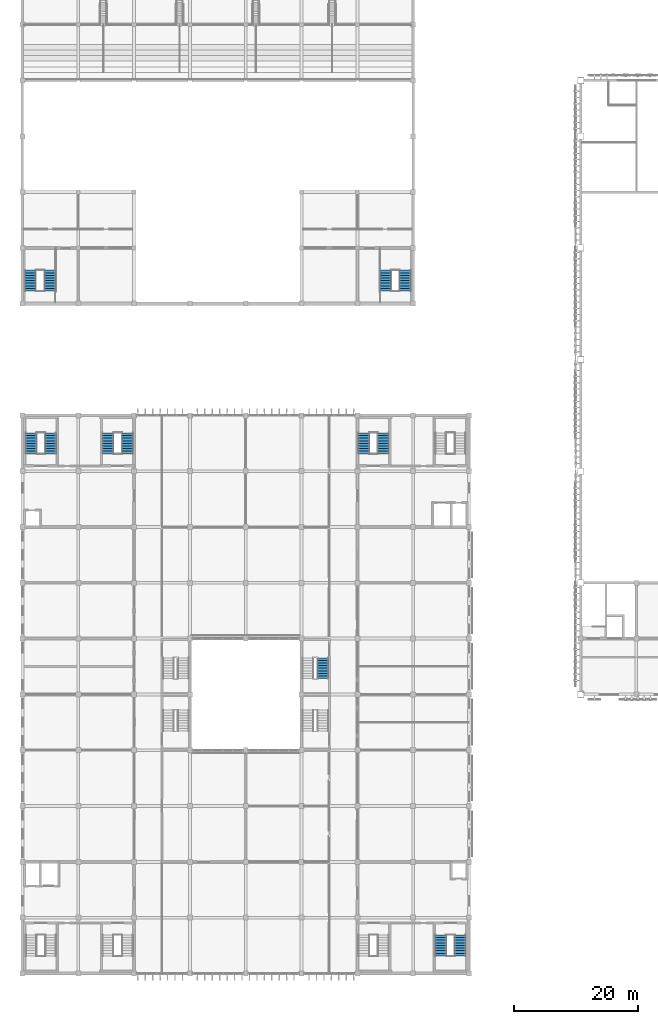
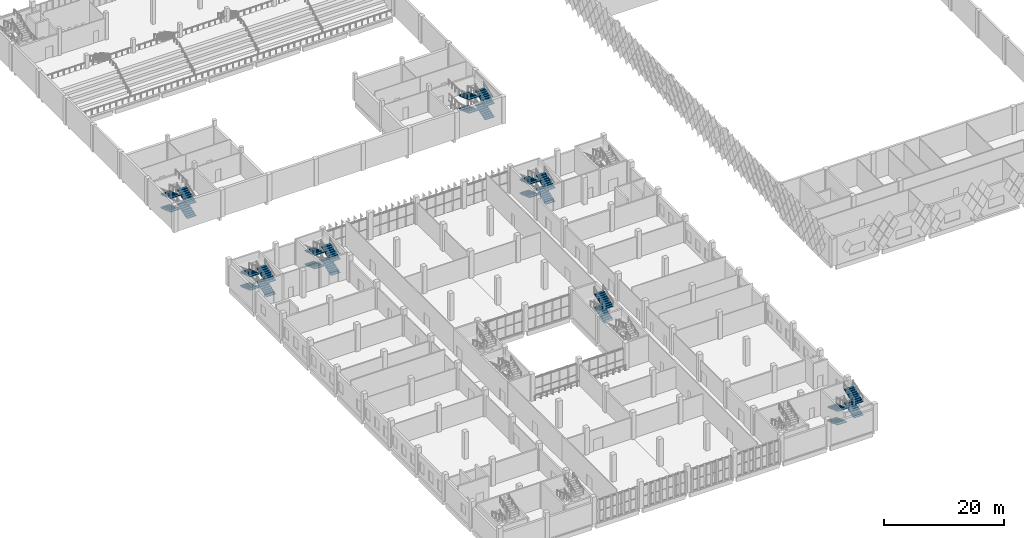
# One storey, part 131 of 185: 26 stair flights, 7 elements without a shape of their own.
"""IFC4 building model written with IfcOpenShell, lengths in metres."""

from ifc_helpers import new_model, si_unit, direction, frame, origin, place, context, subcontext, project, spatial, polyline, outline, extrude, material, type_object, element, aggregate, save


model = new_model("IFC4")

# Units and contexts
model_context = context("Model", 3, precision=1e-05, world=origin(), true_north=direction((0.0, 1.0)))
body_context = subcontext(model_context, "Body", "Model", "MODEL_VIEW")
ifc_project = project(units=[si_unit("LENGTHUNIT", "METRE"), si_unit("AREAUNIT", "SQUARE_METRE"), si_unit("VOLUMEUNIT", "CUBIC_METRE"), si_unit("PLANEANGLEUNIT", "RADIAN"), si_unit("MASSUNIT", "GRAM", prefix="KILO")], contexts=[model_context])

# Site, building, storey
site_placement = place(None, origin())
site = spatial("IfcSite", under=ifc_project, at=site_placement, CompositionType="ELEMENT")
building_placement = place(site_placement, origin())
building = spatial("IfcBuilding", under=site, at=building_placement, Name="Opaline Strait Convention Centre", CompositionType="ELEMENT")
storey_placement = place(building_placement, frame((0.0, 0.0, 6.0)))
storey = spatial("IfcBuildingStorey", under=building, at=storey_placement, Name="L01", CompositionType="ELEMENT", Elevation=6.0)

# Stair, stair flights
ifc_material = material(Name="Concrete C40", Category="concrete")
stair_type_1 = type_object("IfcStairType", Name="Core stair half turn 2400", PredefinedType="HALF_TURN_STAIR", material=ifc_material)
stair_1_placement = place(storey_placement, origin())
stair_1 = element("IfcStair", 1, at=stair_1_placement, inside=storey, type_object=stair_type_1, Name="L01 SW core stair", ObjectType="PST2", PredefinedType="HALF_TURN_STAIR")
stair_flight_type_1 = type_object("IfcStairFlightType", Name="Core stair flight 2400 precast", PredefinedType="STRAIGHT", material=ifc_material)
stair_flight_1_placement = place(storey_placement, frame((13.449951171875, 119.050048828125, 0.0), z_axis=(0.0, 0.0, 1.0), x_axis=(0.0, 1.0, 0.0)))
stair_flight_1 = element("IfcStairFlight", 2, at=stair_flight_1_placement, type_object=stair_flight_type_1, Name="PSR1 flight 1", ObjectType="PSF2", NumberOfRisers=9, NumberOfTreads=8, PredefinedType="STRAIGHT", RiserHeight=0.152777778, TreadLength=0.42, context=body_context, shape_type="SweptSolid", body=[
    extrude(outline(polyline([(0.0, 0.0), (0.0, 0.15283203125), (0.419921875, 0.15283203125), (0.419921875, 0.3056640625), (0.840087890625, 0.3056640625), (0.840087890625, 0.458251953125), (1.260009765625, 0.458251953125), (1.260009765625, 0.611083984375), (1.679931640625, 0.611083984375), (1.679931640625, 0.763916015625), (2.10009765625, 0.763916015625), (2.10009765625, 0.916748046875), (2.52001953125, 0.916748046875), (2.52001953125, 1.0693359375), (2.93994140625, 1.0693359375), (2.93994140625, 1.22216796875), (3.360107421875, 1.22216796875), (3.360107421875, 1.375), (3.360107421875, 1.062744140625), (0.4384765625, 0.0), (0.0, 0.0)])), frame((0.0, 0.89990234375, 0.0), z_axis=(0.0, -1.0, 0.0), x_axis=(1.0, 0.0, 0.0)), (0.0, 0.0, 1.0), 1.800048828125),
])
stair_flight_2_placement = place(storey_placement, frame((10.300048828125, 122.409912109375, 1.375), z_axis=(0.0, 0.0, 1.0), x_axis=(0.0, -1.0, 0.0)))
stair_flight_2 = element("IfcStairFlight", 3, at=stair_flight_2_placement, type_object=stair_flight_type_1, Name="PSR1 flight 2", ObjectType="PSF2", NumberOfRisers=9, NumberOfTreads=8, PredefinedType="STRAIGHT", RiserHeight=0.152777778, TreadLength=0.42, context=body_context, shape_type="SweptSolid", body=[
    extrude(outline(polyline([(0.0, 0.0), (0.0, 0.15283203125), (0.419921875, 0.15283203125), (0.419921875, 0.3056640625), (0.840087890625, 0.3056640625), (0.840087890625, 0.458251953125), (1.260009765625, 0.458251953125), (1.260009765625, 0.611083984375), (1.679931640625, 0.611083984375), (1.679931640625, 0.763916015625), (2.10009765625, 0.763916015625), (2.10009765625, 0.916748046875), (2.52001953125, 0.916748046875), (2.52001953125, 1.0693359375), (2.93994140625, 1.0693359375), (2.93994140625, 1.22216796875), (3.360107421875, 1.22216796875), (3.360107421875, 1.375), (3.360107421875, 1.062744140625), (0.4384765625, 0.0), (0.0, 0.0)])), frame((0.0, 0.89990234375, 0.0), z_axis=(0.0, -1.0, 0.0), x_axis=(1.0, 0.0, 0.0)), (0.0, 0.0, 1.0), 1.800048828125),
])
stair_flight_3_placement = place(storey_placement, frame((13.449951171875, 119.050048828125, 2.75), z_axis=(0.0, 0.0, 1.0), x_axis=(0.0, 1.0, 0.0)))
stair_flight_3 = element("IfcStairFlight", 4, at=stair_flight_3_placement, type_object=stair_flight_type_1, Name="PSR1 flight 3", ObjectType="PSF2", NumberOfRisers=9, NumberOfTreads=8, PredefinedType="STRAIGHT", RiserHeight=0.152777778, TreadLength=0.42, context=body_context, shape_type="SweptSolid", body=[
    extrude(outline(polyline([(0.0, 0.0), (0.0, 0.15283203125), (0.419921875, 0.15283203125), (0.419921875, 0.3056640625), (0.840087890625, 0.3056640625), (0.840087890625, 0.458251953125), (1.260009765625, 0.458251953125), (1.260009765625, 0.611083984375), (1.679931640625, 0.611083984375), (1.679931640625, 0.763916015625), (2.10009765625, 0.763916015625), (2.10009765625, 0.916748046875), (2.52001953125, 0.916748046875), (2.52001953125, 1.0693359375), (2.93994140625, 1.0693359375), (2.93994140625, 1.22216796875), (3.360107421875, 1.22216796875), (3.360107421875, 1.375), (3.360107421875, 1.062744140625), (0.4384765625, 0.0), (0.0, 0.0)])), frame((0.0, 0.89990234375, 0.0), z_axis=(0.0, -1.0, 0.0), x_axis=(1.0, 0.0, 0.0)), (0.0, 0.0, 1.0), 1.800048828125),
])
stair_flight_4_placement = place(storey_placement, frame((10.300048828125, 122.409912109375, 4.125), z_axis=(0.0, 0.0, 1.0), x_axis=(0.0, -1.0, 0.0)))
stair_flight_4 = element("IfcStairFlight", 5, at=stair_flight_4_placement, type_object=stair_flight_type_1, Name="PSR1 flight 4", ObjectType="PSF2", NumberOfRisers=9, NumberOfTreads=8, PredefinedType="STRAIGHT", RiserHeight=0.152777778, TreadLength=0.42, context=body_context, shape_type="SweptSolid", body=[
    extrude(outline(polyline([(0.0, 0.0), (0.0, 0.15283203125), (0.419921875, 0.15283203125), (0.419921875, 0.3056640625), (0.840087890625, 0.3056640625), (0.840087890625, 0.458251953125), (1.260009765625, 0.458251953125), (1.260009765625, 0.611083984375), (1.679931640625, 0.611083984375), (1.679931640625, 0.763916015625), (2.10009765625, 0.763916015625), (2.10009765625, 0.916748046875), (2.52001953125, 0.916748046875), (2.52001953125, 1.0693359375), (2.93994140625, 1.0693359375), (2.93994140625, 1.22216796875), (3.360107421875, 1.22216796875), (3.360107421875, 1.375), (3.360107421875, 1.062744140625), (0.4384765625, 0.0), (0.0, 0.0)])), frame((0.0, 0.89990234375, 0.0), z_axis=(0.0, -1.0, 0.0), x_axis=(1.0, 0.0, 0.0)), (0.0, 0.0, 1.0), 1.800048828125),
])
aggregate(stair_1, [stair_flight_1, stair_flight_2, stair_flight_3, stair_flight_4])

stair_2_placement = place(storey_placement, origin())
stair_2 = element("IfcStair", 6, at=stair_2_placement, inside=storey, type_object=stair_type_1, Name="L01 SE core stair", ObjectType="PST2", PredefinedType="HALF_TURN_STAIR")
stair_flight_5_placement = place(storey_placement, frame((70.699951171875, 119.050048828125, 0.0), z_axis=(0.0, 0.0, 1.0), x_axis=(0.0, 1.0, 0.0)))
stair_flight_5 = element("IfcStairFlight", 7, at=stair_flight_5_placement, type_object=stair_flight_type_1, Name="PSR2 flight 1", ObjectType="PSF2", NumberOfRisers=9, NumberOfTreads=8, PredefinedType="STRAIGHT", RiserHeight=0.152777778, TreadLength=0.42, context=body_context, shape_type="SweptSolid", body=[
    extrude(outline(polyline([(0.0, 0.0), (0.0, 0.15283203125), (0.419921875, 0.15283203125), (0.419921875, 0.3056640625), (0.840087890625, 0.3056640625), (0.840087890625, 0.458251953125), (1.260009765625, 0.458251953125), (1.260009765625, 0.611083984375), (1.679931640625, 0.611083984375), (1.679931640625, 0.763916015625), (2.10009765625, 0.763916015625), (2.10009765625, 0.916748046875), (2.52001953125, 0.916748046875), (2.52001953125, 1.0693359375), (2.93994140625, 1.0693359375), (2.93994140625, 1.22216796875), (3.360107421875, 1.22216796875), (3.360107421875, 1.375), (3.360107421875, 1.062744140625), (0.4384765625, 0.0), (0.0, 0.0)])), frame((0.0, 0.89990234375, 0.0), z_axis=(0.0, -1.0, 0.0), x_axis=(1.0, 0.0, 0.0)), (0.0, 0.0, 1.0), 1.800048828125),
])
stair_flight_6_placement = place(storey_placement, frame((67.550048828125, 122.409912109375, 1.375), z_axis=(0.0, 0.0, 1.0), x_axis=(0.0, -1.0, 0.0)))
stair_flight_6 = element("IfcStairFlight", 8, at=stair_flight_6_placement, type_object=stair_flight_type_1, Name="PSR2 flight 2", ObjectType="PSF2", NumberOfRisers=9, NumberOfTreads=8, PredefinedType="STRAIGHT", RiserHeight=0.152777778, TreadLength=0.42, context=body_context, shape_type="SweptSolid", body=[
    extrude(outline(polyline([(0.0, 0.0), (0.0, 0.15283203125), (0.419921875, 0.15283203125), (0.419921875, 0.3056640625), (0.840087890625, 0.3056640625), (0.840087890625, 0.458251953125), (1.260009765625, 0.458251953125), (1.260009765625, 0.611083984375), (1.679931640625, 0.611083984375), (1.679931640625, 0.763916015625), (2.10009765625, 0.763916015625), (2.10009765625, 0.916748046875), (2.52001953125, 0.916748046875), (2.52001953125, 1.0693359375), (2.93994140625, 1.0693359375), (2.93994140625, 1.22216796875), (3.360107421875, 1.22216796875), (3.360107421875, 1.375), (3.360107421875, 1.062744140625), (0.4384765625, 0.0), (0.0, 0.0)])), frame((0.0, 0.89990234375, 0.0), z_axis=(0.0, -1.0, 0.0), x_axis=(1.0, 0.0, 0.0)), (0.0, 0.0, 1.0), 1.800048828125),
])
stair_flight_7_placement = place(storey_placement, frame((70.699951171875, 119.050048828125, 2.75), z_axis=(0.0, 0.0, 1.0), x_axis=(0.0, 1.0, 0.0)))
stair_flight_7 = element("IfcStairFlight", 9, at=stair_flight_7_placement, type_object=stair_flight_type_1, Name="PSR2 flight 3", ObjectType="PSF2", NumberOfRisers=9, NumberOfTreads=8, PredefinedType="STRAIGHT", RiserHeight=0.152777778, TreadLength=0.42, context=body_context, shape_type="SweptSolid", body=[
    extrude(outline(polyline([(0.0, 0.0), (0.0, 0.15283203125), (0.419921875, 0.15283203125), (0.419921875, 0.3056640625), (0.840087890625, 0.3056640625), (0.840087890625, 0.458251953125), (1.260009765625, 0.458251953125), (1.260009765625, 0.611083984375), (1.679931640625, 0.611083984375), (1.679931640625, 0.763916015625), (2.10009765625, 0.763916015625), (2.10009765625, 0.916748046875), (2.52001953125, 0.916748046875), (2.52001953125, 1.0693359375), (2.93994140625, 1.0693359375), (2.93994140625, 1.22216796875), (3.360107421875, 1.22216796875), (3.360107421875, 1.375), (3.360107421875, 1.062744140625), (0.4384765625, 0.0), (0.0, 0.0)])), frame((0.0, 0.89990234375, 0.0), z_axis=(0.0, -1.0, 0.0), x_axis=(1.0, 0.0, 0.0)), (0.0, 0.0, 1.0), 1.800048828125),
])
stair_flight_8_placement = place(storey_placement, frame((67.550048828125, 122.409912109375, 4.125), z_axis=(0.0, 0.0, 1.0), x_axis=(0.0, -1.0, 0.0)))
stair_flight_8 = element("IfcStairFlight", 10, at=stair_flight_8_placement, type_object=stair_flight_type_1, Name="PSR2 flight 4", ObjectType="PSF2", NumberOfRisers=9, NumberOfTreads=8, PredefinedType="STRAIGHT", RiserHeight=0.152777778, TreadLength=0.42, context=body_context, shape_type="SweptSolid", body=[
    extrude(outline(polyline([(0.0, 0.0), (0.0, 0.15283203125), (0.419921875, 0.15283203125), (0.419921875, 0.3056640625), (0.840087890625, 0.3056640625), (0.840087890625, 0.458251953125), (1.260009765625, 0.458251953125), (1.260009765625, 0.611083984375), (1.679931640625, 0.611083984375), (1.679931640625, 0.763916015625), (2.10009765625, 0.763916015625), (2.10009765625, 0.916748046875), (2.52001953125, 0.916748046875), (2.52001953125, 1.0693359375), (2.93994140625, 1.0693359375), (2.93994140625, 1.22216796875), (3.360107421875, 1.22216796875), (3.360107421875, 1.375), (3.360107421875, 1.062744140625), (0.4384765625, 0.0), (0.0, 0.0)])), frame((0.0, 0.89990234375, 0.0), z_axis=(0.0, -1.0, 0.0), x_axis=(1.0, 0.0, 0.0)), (0.0, 0.0, 1.0), 1.800048828125),
])
aggregate(stair_2, [stair_flight_5, stair_flight_6, stair_flight_7, stair_flight_8])

stair_type_2 = type_object("IfcStairType", Name="Exit stair two flights 1800 C40", PredefinedType="HALF_TURN_STAIR", material=ifc_material)
stair_3_placement = place(storey_placement, origin())
stair_3 = element("IfcStair", 11, at=stair_3_placement, inside=storey, type_object=stair_type_2, Name="L01 SEA", ObjectType="RST1", PredefinedType="HALF_TURN_STAIR")
stair_flight_type_2 = type_object("IfcStairFlightType", Name="Stair flight 1800 C40", PredefinedType="STRAIGHT", material=ifc_material)
stair_flight_9_placement = place(storey_placement, frame((76.449951171875, 15.199951171875, 0.0), z_axis=(0.0, 0.0, 1.0), x_axis=(0.0, -1.0, 0.0)))
stair_flight_9 = element("IfcStairFlight", 12, at=stair_flight_9_placement, type_object=stair_flight_type_2, Name="SEA flight 1", ObjectType="RSF1", NumberOfRisers=9, NumberOfTreads=8, PredefinedType="STRAIGHT", RiserHeight=0.152777778, TreadLength=0.42, context=body_context, shape_type="SweptSolid", body=[
    extrude(outline(polyline([(0.0, 0.0), (0.0, 0.15283203125), (0.419921875, 0.15283203125), (0.419921875, 0.3056640625), (0.840087890625, 0.3056640625), (0.840087890625, 0.458251953125), (1.260009765625, 0.458251953125), (1.260009765625, 0.611083984375), (1.679931640625, 0.611083984375), (1.679931640625, 0.763916015625), (2.10009765625, 0.763916015625), (2.10009765625, 0.916748046875), (2.52001953125, 0.916748046875), (2.52001953125, 1.0693359375), (2.93994140625, 1.0693359375), (2.93994140625, 1.22216796875), (3.360107421875, 1.22216796875), (3.360107421875, 1.375), (3.360107421875, 1.062744140625), (0.4384765625, 0.0), (0.0, 0.0)])), frame((0.0, 0.89990234375, 0.0), z_axis=(0.0, -1.0, 0.0), x_axis=(1.0, 0.0, 0.0)), (0.0, 0.0, 1.0), 1.800048828125),
])
stair_flight_10_placement = place(storey_placement, frame((79.60009765625, 11.840087890625, 1.375), z_axis=(0.0, 0.0, 1.0), x_axis=(0.0, 1.0, 0.0)))
stair_flight_10 = element("IfcStairFlight", 13, at=stair_flight_10_placement, type_object=stair_flight_type_2, Name="SEA flight 2", ObjectType="RSF1", NumberOfRisers=9, NumberOfTreads=8, PredefinedType="STRAIGHT", RiserHeight=0.152777778, TreadLength=0.42, context=body_context, shape_type="SweptSolid", body=[
    extrude(outline(polyline([(0.0, 0.0), (0.0, 0.15283203125), (0.419921875, 0.15283203125), (0.419921875, 0.3056640625), (0.840087890625, 0.3056640625), (0.840087890625, 0.458251953125), (1.260009765625, 0.458251953125), (1.260009765625, 0.611083984375), (1.679931640625, 0.611083984375), (1.679931640625, 0.763916015625), (2.10009765625, 0.763916015625), (2.10009765625, 0.916748046875), (2.52001953125, 0.916748046875), (2.52001953125, 1.0693359375), (2.93994140625, 1.0693359375), (2.93994140625, 1.22216796875), (3.360107421875, 1.22216796875), (3.360107421875, 1.375), (3.360107421875, 1.062744140625), (0.4384765625, 0.0), (0.0, 0.0)])), frame((0.0, 0.89990234375, 0.0), z_axis=(0.0, -1.0, 0.0), x_axis=(1.0, 0.0, 0.0)), (0.0, 0.0, 1.0), 1.800048828125),
])
stair_flight_11_placement = place(storey_placement, frame((76.449951171875, 15.199951171875, 2.75), z_axis=(0.0, 0.0, 1.0), x_axis=(0.0, -1.0, 0.0)))
stair_flight_11 = element("IfcStairFlight", 14, at=stair_flight_11_placement, type_object=stair_flight_type_2, Name="SEA flight 3", ObjectType="RSF1", NumberOfRisers=9, NumberOfTreads=8, PredefinedType="STRAIGHT", RiserHeight=0.152777778, TreadLength=0.42, context=body_context, shape_type="SweptSolid", body=[
    extrude(outline(polyline([(0.0, 0.0), (0.0, 0.15283203125), (0.419921875, 0.15283203125), (0.419921875, 0.3056640625), (0.840087890625, 0.3056640625), (0.840087890625, 0.458251953125), (1.260009765625, 0.458251953125), (1.260009765625, 0.611083984375), (1.679931640625, 0.611083984375), (1.679931640625, 0.763916015625), (2.10009765625, 0.763916015625), (2.10009765625, 0.916748046875), (2.52001953125, 0.916748046875), (2.52001953125, 1.0693359375), (2.93994140625, 1.0693359375), (2.93994140625, 1.22216796875), (3.360107421875, 1.22216796875), (3.360107421875, 1.375), (3.360107421875, 1.062744140625), (0.4384765625, 0.0), (0.0, 0.0)])), frame((0.0, 0.89990234375, 0.0), z_axis=(0.0, -1.0, 0.0), x_axis=(1.0, 0.0, 0.0)), (0.0, 0.0, 1.0), 1.800048828125),
])
stair_flight_12_placement = place(storey_placement, frame((79.60009765625, 11.840087890625, 4.125), z_axis=(0.0, 0.0, 1.0), x_axis=(0.0, 1.0, 0.0)))
stair_flight_12 = element("IfcStairFlight", 15, at=stair_flight_12_placement, type_object=stair_flight_type_2, Name="SEA flight 4", ObjectType="RSF1", NumberOfRisers=9, NumberOfTreads=8, PredefinedType="STRAIGHT", RiserHeight=0.152777778, TreadLength=0.42, context=body_context, shape_type="SweptSolid", body=[
    extrude(outline(polyline([(0.0, 0.0), (0.0, 0.15283203125), (0.419921875, 0.15283203125), (0.419921875, 0.3056640625), (0.840087890625, 0.3056640625), (0.840087890625, 0.458251953125), (1.260009765625, 0.458251953125), (1.260009765625, 0.611083984375), (1.679931640625, 0.611083984375), (1.679931640625, 0.763916015625), (2.10009765625, 0.763916015625), (2.10009765625, 0.916748046875), (2.52001953125, 0.916748046875), (2.52001953125, 1.0693359375), (2.93994140625, 1.0693359375), (2.93994140625, 1.22216796875), (3.360107421875, 1.22216796875), (3.360107421875, 1.375), (3.360107421875, 1.062744140625), (0.4384765625, 0.0), (0.0, 0.0)])), frame((0.0, 0.89990234375, 0.0), z_axis=(0.0, -1.0, 0.0), x_axis=(1.0, 0.0, 0.0)), (0.0, 0.0, 1.0), 1.800048828125),
])
aggregate(stair_3, [stair_flight_9, stair_flight_10, stair_flight_11, stair_flight_12])

stair_4_placement = place(storey_placement, origin())
stair_4 = element("IfcStair", 16, at=stair_4_placement, inside=storey, type_object=stair_type_2, Name="L01 NWA", ObjectType="RST1", PredefinedType="HALF_TURN_STAIR")
stair_flight_13_placement = place(storey_placement, frame((13.550048828125, 92.800048828125, 0.0), z_axis=(0.0, 0.0, 1.0), x_axis=(0.0, 1.0, 0.0)))
stair_flight_13 = element("IfcStairFlight", 17, at=stair_flight_13_placement, type_object=stair_flight_type_2, Name="NWA flight 1", ObjectType="RSF1", NumberOfRisers=9, NumberOfTreads=8, PredefinedType="STRAIGHT", RiserHeight=0.152777778, TreadLength=0.42, context=body_context, shape_type="SweptSolid", body=[
    extrude(outline(polyline([(0.0, 0.0), (0.0, 0.15283203125), (0.419921875, 0.15283203125), (0.419921875, 0.3056640625), (0.840087890625, 0.3056640625), (0.840087890625, 0.458251953125), (1.260009765625, 0.458251953125), (1.260009765625, 0.611083984375), (1.679931640625, 0.611083984375), (1.679931640625, 0.763916015625), (2.10009765625, 0.763916015625), (2.10009765625, 0.916748046875), (2.52001953125, 0.916748046875), (2.52001953125, 1.0693359375), (2.93994140625, 1.0693359375), (2.93994140625, 1.22216796875), (3.360107421875, 1.22216796875), (3.360107421875, 1.375), (3.360107421875, 1.062744140625), (0.4384765625, 0.0), (0.0, 0.0)])), frame((0.0, 0.89990234375, 0.0), z_axis=(0.0, -1.0, 0.0), x_axis=(1.0, 0.0, 0.0)), (0.0, 0.0, 1.0), 1.800048828125),
])
stair_flight_14_placement = place(storey_placement, frame((10.39990234375, 96.159912109375, 1.375), z_axis=(0.0, 0.0, 1.0), x_axis=(0.0, -1.0, 0.0)))
stair_flight_14 = element("IfcStairFlight", 18, at=stair_flight_14_placement, type_object=stair_flight_type_2, Name="NWA flight 2", ObjectType="RSF1", NumberOfRisers=9, NumberOfTreads=8, PredefinedType="STRAIGHT", RiserHeight=0.152777778, TreadLength=0.42, context=body_context, shape_type="SweptSolid", body=[
    extrude(outline(polyline([(0.0, 0.0), (0.0, 0.15283203125), (0.419921875, 0.15283203125), (0.419921875, 0.3056640625), (0.840087890625, 0.3056640625), (0.840087890625, 0.458251953125), (1.260009765625, 0.458251953125), (1.260009765625, 0.611083984375), (1.679931640625, 0.611083984375), (1.679931640625, 0.763916015625), (2.10009765625, 0.763916015625), (2.10009765625, 0.916748046875), (2.52001953125, 0.916748046875), (2.52001953125, 1.0693359375), (2.93994140625, 1.0693359375), (2.93994140625, 1.22216796875), (3.360107421875, 1.22216796875), (3.360107421875, 1.375), (3.360107421875, 1.062744140625), (0.4384765625, 0.0), (0.0, 0.0)])), frame((0.0, 0.89990234375, 0.0), z_axis=(0.0, -1.0, 0.0), x_axis=(1.0, 0.0, 0.0)), (0.0, 0.0, 1.0), 1.800048828125),
])
stair_flight_15_placement = place(storey_placement, frame((13.550048828125, 92.800048828125, 2.75), z_axis=(0.0, 0.0, 1.0), x_axis=(0.0, 1.0, 0.0)))
stair_flight_15 = element("IfcStairFlight", 19, at=stair_flight_15_placement, type_object=stair_flight_type_2, Name="NWA flight 3", ObjectType="RSF1", NumberOfRisers=9, NumberOfTreads=8, PredefinedType="STRAIGHT", RiserHeight=0.152777778, TreadLength=0.42, context=body_context, shape_type="SweptSolid", body=[
    extrude(outline(polyline([(0.0, 0.0), (0.0, 0.15283203125), (0.419921875, 0.15283203125), (0.419921875, 0.3056640625), (0.840087890625, 0.3056640625), (0.840087890625, 0.458251953125), (1.260009765625, 0.458251953125), (1.260009765625, 0.611083984375), (1.679931640625, 0.611083984375), (1.679931640625, 0.763916015625), (2.10009765625, 0.763916015625), (2.10009765625, 0.916748046875), (2.52001953125, 0.916748046875), (2.52001953125, 1.0693359375), (2.93994140625, 1.0693359375), (2.93994140625, 1.22216796875), (3.360107421875, 1.22216796875), (3.360107421875, 1.375), (3.360107421875, 1.062744140625), (0.4384765625, 0.0), (0.0, 0.0)])), frame((0.0, 0.89990234375, 0.0), z_axis=(0.0, -1.0, 0.0), x_axis=(1.0, 0.0, 0.0)), (0.0, 0.0, 1.0), 1.800048828125),
])
stair_flight_16_placement = place(storey_placement, frame((10.39990234375, 96.159912109375, 4.125), z_axis=(0.0, 0.0, 1.0), x_axis=(0.0, -1.0, 0.0)))
stair_flight_16 = element("IfcStairFlight", 20, at=stair_flight_16_placement, type_object=stair_flight_type_2, Name="NWA flight 4", ObjectType="RSF1", NumberOfRisers=9, NumberOfTreads=8, PredefinedType="STRAIGHT", RiserHeight=0.152777778, TreadLength=0.42, context=body_context, shape_type="SweptSolid", body=[
    extrude(outline(polyline([(0.0, 0.0), (0.0, 0.15283203125), (0.419921875, 0.15283203125), (0.419921875, 0.3056640625), (0.840087890625, 0.3056640625), (0.840087890625, 0.458251953125), (1.260009765625, 0.458251953125), (1.260009765625, 0.611083984375), (1.679931640625, 0.611083984375), (1.679931640625, 0.763916015625), (2.10009765625, 0.763916015625), (2.10009765625, 0.916748046875), (2.52001953125, 0.916748046875), (2.52001953125, 1.0693359375), (2.93994140625, 1.0693359375), (2.93994140625, 1.22216796875), (3.360107421875, 1.22216796875), (3.360107421875, 1.375), (3.360107421875, 1.062744140625), (0.4384765625, 0.0), (0.0, 0.0)])), frame((0.0, 0.89990234375, 0.0), z_axis=(0.0, -1.0, 0.0), x_axis=(1.0, 0.0, 0.0)), (0.0, 0.0, 1.0), 1.800048828125),
])
aggregate(stair_4, [stair_flight_13, stair_flight_14, stair_flight_15, stair_flight_16])

stair_5_placement = place(storey_placement, origin())
stair_5 = element("IfcStair", 21, at=stair_5_placement, inside=storey, type_object=stair_type_2, Name="L01 NWB", ObjectType="RST1", PredefinedType="HALF_TURN_STAIR")
stair_flight_17_placement = place(storey_placement, frame((25.949951171875, 92.800048828125, 0.0), z_axis=(0.0, 0.0, 1.0), x_axis=(0.0, 1.0, 0.0)))
stair_flight_17 = element("IfcStairFlight", 22, at=stair_flight_17_placement, type_object=stair_flight_type_2, Name="NWB flight 1", ObjectType="RSF1", NumberOfRisers=9, NumberOfTreads=8, PredefinedType="STRAIGHT", RiserHeight=0.152777778, TreadLength=0.42, context=body_context, shape_type="SweptSolid", body=[
    extrude(outline(polyline([(0.0, 0.0), (0.0, 0.15283203125), (0.419921875, 0.15283203125), (0.419921875, 0.3056640625), (0.840087890625, 0.3056640625), (0.840087890625, 0.458251953125), (1.260009765625, 0.458251953125), (1.260009765625, 0.611083984375), (1.679931640625, 0.611083984375), (1.679931640625, 0.763916015625), (2.10009765625, 0.763916015625), (2.10009765625, 0.916748046875), (2.52001953125, 0.916748046875), (2.52001953125, 1.0693359375), (2.93994140625, 1.0693359375), (2.93994140625, 1.22216796875), (3.360107421875, 1.22216796875), (3.360107421875, 1.375), (3.360107421875, 1.062744140625), (0.4384765625, 0.0), (0.0, 0.0)])), frame((0.0, 0.89990234375, 0.0), z_axis=(0.0, -1.0, 0.0), x_axis=(1.0, 0.0, 0.0)), (0.0, 0.0, 1.0), 1.800048828125),
])
stair_flight_18_placement = place(storey_placement, frame((22.800048828125, 96.159912109375, 1.375), z_axis=(0.0, 0.0, 1.0), x_axis=(0.0, -1.0, 0.0)))
stair_flight_18 = element("IfcStairFlight", 23, at=stair_flight_18_placement, type_object=stair_flight_type_2, Name="NWB flight 2", ObjectType="RSF1", NumberOfRisers=9, NumberOfTreads=8, PredefinedType="STRAIGHT", RiserHeight=0.152777778, TreadLength=0.42, context=body_context, shape_type="SweptSolid", body=[
    extrude(outline(polyline([(0.0, 0.0), (0.0, 0.15283203125), (0.419921875, 0.15283203125), (0.419921875, 0.3056640625), (0.840087890625, 0.3056640625), (0.840087890625, 0.458251953125), (1.260009765625, 0.458251953125), (1.260009765625, 0.611083984375), (1.679931640625, 0.611083984375), (1.679931640625, 0.763916015625), (2.10009765625, 0.763916015625), (2.10009765625, 0.916748046875), (2.52001953125, 0.916748046875), (2.52001953125, 1.0693359375), (2.93994140625, 1.0693359375), (2.93994140625, 1.22216796875), (3.360107421875, 1.22216796875), (3.360107421875, 1.375), (3.360107421875, 1.062744140625), (0.4384765625, 0.0), (0.0, 0.0)])), frame((0.0, 0.89990234375, 0.0), z_axis=(0.0, -1.0, 0.0), x_axis=(1.0, 0.0, 0.0)), (0.0, 0.0, 1.0), 1.800048828125),
])
stair_flight_19_placement = place(storey_placement, frame((25.949951171875, 92.800048828125, 2.75), z_axis=(0.0, 0.0, 1.0), x_axis=(0.0, 1.0, 0.0)))
stair_flight_19 = element("IfcStairFlight", 24, at=stair_flight_19_placement, type_object=stair_flight_type_2, Name="NWB flight 3", ObjectType="RSF1", NumberOfRisers=9, NumberOfTreads=8, PredefinedType="STRAIGHT", RiserHeight=0.152777778, TreadLength=0.42, context=body_context, shape_type="SweptSolid", body=[
    extrude(outline(polyline([(0.0, 0.0), (0.0, 0.15283203125), (0.419921875, 0.15283203125), (0.419921875, 0.3056640625), (0.840087890625, 0.3056640625), (0.840087890625, 0.458251953125), (1.260009765625, 0.458251953125), (1.260009765625, 0.611083984375), (1.679931640625, 0.611083984375), (1.679931640625, 0.763916015625), (2.10009765625, 0.763916015625), (2.10009765625, 0.916748046875), (2.52001953125, 0.916748046875), (2.52001953125, 1.0693359375), (2.93994140625, 1.0693359375), (2.93994140625, 1.22216796875), (3.360107421875, 1.22216796875), (3.360107421875, 1.375), (3.360107421875, 1.062744140625), (0.4384765625, 0.0), (0.0, 0.0)])), frame((0.0, 0.89990234375, 0.0), z_axis=(0.0, -1.0, 0.0), x_axis=(1.0, 0.0, 0.0)), (0.0, 0.0, 1.0), 1.800048828125),
])
stair_flight_20_placement = place(storey_placement, frame((22.800048828125, 96.159912109375, 4.125), z_axis=(0.0, 0.0, 1.0), x_axis=(0.0, -1.0, 0.0)))
stair_flight_20 = element("IfcStairFlight", 25, at=stair_flight_20_placement, type_object=stair_flight_type_2, Name="NWB flight 4", ObjectType="RSF1", NumberOfRisers=9, NumberOfTreads=8, PredefinedType="STRAIGHT", RiserHeight=0.152777778, TreadLength=0.42, context=body_context, shape_type="SweptSolid", body=[
    extrude(outline(polyline([(0.0, 0.0), (0.0, 0.15283203125), (0.419921875, 0.15283203125), (0.419921875, 0.3056640625), (0.840087890625, 0.3056640625), (0.840087890625, 0.458251953125), (1.260009765625, 0.458251953125), (1.260009765625, 0.611083984375), (1.679931640625, 0.611083984375), (1.679931640625, 0.763916015625), (2.10009765625, 0.763916015625), (2.10009765625, 0.916748046875), (2.52001953125, 0.916748046875), (2.52001953125, 1.0693359375), (2.93994140625, 1.0693359375), (2.93994140625, 1.22216796875), (3.360107421875, 1.22216796875), (3.360107421875, 1.375), (3.360107421875, 1.062744140625), (0.4384765625, 0.0), (0.0, 0.0)])), frame((0.0, 0.89990234375, 0.0), z_axis=(0.0, -1.0, 0.0), x_axis=(1.0, 0.0, 0.0)), (0.0, 0.0, 1.0), 1.800048828125),
])
aggregate(stair_5, [stair_flight_17, stair_flight_18, stair_flight_19, stair_flight_20])

stair_6_placement = place(storey_placement, origin())
stair_6 = element("IfcStair", 26, at=stair_6_placement, inside=storey, type_object=stair_type_2, Name="L01 NEB", ObjectType="RST1", PredefinedType="HALF_TURN_STAIR")
stair_flight_21_placement = place(storey_placement, frame((67.199951171875, 92.800048828125, 0.0), z_axis=(0.0, 0.0, 1.0), x_axis=(0.0, 1.0, 0.0)))
stair_flight_21 = element("IfcStairFlight", 27, at=stair_flight_21_placement, type_object=stair_flight_type_2, Name="NEB flight 1", ObjectType="RSF1", NumberOfRisers=9, NumberOfTreads=8, PredefinedType="STRAIGHT", RiserHeight=0.152777778, TreadLength=0.42, context=body_context, shape_type="SweptSolid", body=[
    extrude(outline(polyline([(0.0, 0.0), (0.0, 0.15283203125), (0.419921875, 0.15283203125), (0.419921875, 0.3056640625), (0.840087890625, 0.3056640625), (0.840087890625, 0.458251953125), (1.260009765625, 0.458251953125), (1.260009765625, 0.611083984375), (1.679931640625, 0.611083984375), (1.679931640625, 0.763916015625), (2.10009765625, 0.763916015625), (2.10009765625, 0.916748046875), (2.52001953125, 0.916748046875), (2.52001953125, 1.0693359375), (2.93994140625, 1.0693359375), (2.93994140625, 1.22216796875), (3.360107421875, 1.22216796875), (3.360107421875, 1.375), (3.360107421875, 1.062744140625), (0.4384765625, 0.0), (0.0, 0.0)])), frame((0.0, 0.89990234375, 0.0), z_axis=(0.0, -1.0, 0.0), x_axis=(1.0, 0.0, 0.0)), (0.0, 0.0, 1.0), 1.800048828125),
])
stair_flight_22_placement = place(storey_placement, frame((64.050048828125, 96.159912109375, 1.375), z_axis=(0.0, 0.0, 1.0), x_axis=(0.0, -1.0, 0.0)))
stair_flight_22 = element("IfcStairFlight", 28, at=stair_flight_22_placement, type_object=stair_flight_type_2, Name="NEB flight 2", ObjectType="RSF1", NumberOfRisers=9, NumberOfTreads=8, PredefinedType="STRAIGHT", RiserHeight=0.152777778, TreadLength=0.42, context=body_context, shape_type="SweptSolid", body=[
    extrude(outline(polyline([(0.0, 0.0), (0.0, 0.15283203125), (0.419921875, 0.15283203125), (0.419921875, 0.3056640625), (0.840087890625, 0.3056640625), (0.840087890625, 0.458251953125), (1.260009765625, 0.458251953125), (1.260009765625, 0.611083984375), (1.679931640625, 0.611083984375), (1.679931640625, 0.763916015625), (2.10009765625, 0.763916015625), (2.10009765625, 0.916748046875), (2.52001953125, 0.916748046875), (2.52001953125, 1.0693359375), (2.93994140625, 1.0693359375), (2.93994140625, 1.22216796875), (3.360107421875, 1.22216796875), (3.360107421875, 1.375), (3.360107421875, 1.062744140625), (0.4384765625, 0.0), (0.0, 0.0)])), frame((0.0, 0.89990234375, 0.0), z_axis=(0.0, -1.0, 0.0), x_axis=(1.0, 0.0, 0.0)), (0.0, 0.0, 1.0), 1.800048828125),
])
stair_flight_23_placement = place(storey_placement, frame((67.199951171875, 92.800048828125, 2.75), z_axis=(0.0, 0.0, 1.0), x_axis=(0.0, 1.0, 0.0)))
stair_flight_23 = element("IfcStairFlight", 29, at=stair_flight_23_placement, type_object=stair_flight_type_2, Name="NEB flight 3", ObjectType="RSF1", NumberOfRisers=9, NumberOfTreads=8, PredefinedType="STRAIGHT", RiserHeight=0.152777778, TreadLength=0.42, context=body_context, shape_type="SweptSolid", body=[
    extrude(outline(polyline([(0.0, 0.0), (0.0, 0.15283203125), (0.419921875, 0.15283203125), (0.419921875, 0.3056640625), (0.840087890625, 0.3056640625), (0.840087890625, 0.458251953125), (1.260009765625, 0.458251953125), (1.260009765625, 0.611083984375), (1.679931640625, 0.611083984375), (1.679931640625, 0.763916015625), (2.10009765625, 0.763916015625), (2.10009765625, 0.916748046875), (2.52001953125, 0.916748046875), (2.52001953125, 1.0693359375), (2.93994140625, 1.0693359375), (2.93994140625, 1.22216796875), (3.360107421875, 1.22216796875), (3.360107421875, 1.375), (3.360107421875, 1.062744140625), (0.4384765625, 0.0), (0.0, 0.0)])), frame((0.0, 0.89990234375, 0.0), z_axis=(0.0, -1.0, 0.0), x_axis=(1.0, 0.0, 0.0)), (0.0, 0.0, 1.0), 1.800048828125),
])
stair_flight_24_placement = place(storey_placement, frame((64.050048828125, 96.159912109375, 4.125), z_axis=(0.0, 0.0, 1.0), x_axis=(0.0, -1.0, 0.0)))
stair_flight_24 = element("IfcStairFlight", 30, at=stair_flight_24_placement, type_object=stair_flight_type_2, Name="NEB flight 4", ObjectType="RSF1", NumberOfRisers=9, NumberOfTreads=8, PredefinedType="STRAIGHT", RiserHeight=0.152777778, TreadLength=0.42, context=body_context, shape_type="SweptSolid", body=[
    extrude(outline(polyline([(0.0, 0.0), (0.0, 0.15283203125), (0.419921875, 0.15283203125), (0.419921875, 0.3056640625), (0.840087890625, 0.3056640625), (0.840087890625, 0.458251953125), (1.260009765625, 0.458251953125), (1.260009765625, 0.611083984375), (1.679931640625, 0.611083984375), (1.679931640625, 0.763916015625), (2.10009765625, 0.763916015625), (2.10009765625, 0.916748046875), (2.52001953125, 0.916748046875), (2.52001953125, 1.0693359375), (2.93994140625, 1.0693359375), (2.93994140625, 1.22216796875), (3.360107421875, 1.22216796875), (3.360107421875, 1.375), (3.360107421875, 1.062744140625), (0.4384765625, 0.0), (0.0, 0.0)])), frame((0.0, 0.89990234375, 0.0), z_axis=(0.0, -1.0, 0.0), x_axis=(1.0, 0.0, 0.0)), (0.0, 0.0, 1.0), 1.800048828125),
])
aggregate(stair_6, [stair_flight_21, stair_flight_22, stair_flight_23, stair_flight_24])

stair_7_placement = place(storey_placement, origin())
stair_7 = element("IfcStair", 31, at=stair_7_placement, inside=storey, type_object=stair_type_2, Name="L01 ME2", ObjectType="RST1", PredefinedType="HALF_TURN_STAIR")
stair_flight_25_placement = place(storey_placement, frame((57.449951171875, 56.5400390625, 1.375), z_axis=(0.0, 0.0, 1.0), x_axis=(0.0, 1.0, 0.0)))
stair_flight_25 = element("IfcStairFlight", 32, at=stair_flight_25_placement, type_object=stair_flight_type_2, Name="ME2 flight 2", ObjectType="RSF1", NumberOfRisers=9, NumberOfTreads=8, PredefinedType="STRAIGHT", RiserHeight=0.152777778, TreadLength=0.42, context=body_context, shape_type="SweptSolid", body=[
    extrude(outline(polyline([(0.0, 0.0), (0.0, 0.15283203125), (0.419921875, 0.15283203125), (0.419921875, 0.3056640625), (0.840087890625, 0.3056640625), (0.840087890625, 0.458251953125), (1.260009765625, 0.458251953125), (1.260009765625, 0.611083984375), (1.679931640625, 0.611083984375), (1.679931640625, 0.763916015625), (2.10009765625, 0.763916015625), (2.10009765625, 0.916748046875), (2.52001953125, 0.916748046875), (2.52001953125, 1.0693359375), (2.93994140625, 1.0693359375), (2.93994140625, 1.22216796875), (3.360107421875, 1.22216796875), (3.360107421875, 1.375), (3.360107421875, 1.062744140625), (0.4384765625, 0.0), (0.0, 0.0)])), frame((0.0, 0.89990234375, 0.0), z_axis=(0.0, -1.0, 0.0), x_axis=(1.0, 0.0, 0.0)), (0.0, 0.0, 1.0), 1.800048828125),
])
stair_flight_26_placement = place(storey_placement, frame((57.449951171875, 56.5400390625, 4.125), z_axis=(0.0, 0.0, 1.0), x_axis=(0.0, 1.0, 0.0)))
stair_flight_26 = element("IfcStairFlight", 33, at=stair_flight_26_placement, type_object=stair_flight_type_2, Name="ME2 flight 4", ObjectType="RSF1", NumberOfRisers=9, NumberOfTreads=8, PredefinedType="STRAIGHT", RiserHeight=0.152777778, TreadLength=0.42, context=body_context, shape_type="SweptSolid", body=[
    extrude(outline(polyline([(0.0, 0.0), (0.0, 0.15283203125), (0.419921875, 0.15283203125), (0.419921875, 0.3056640625), (0.840087890625, 0.3056640625), (0.840087890625, 0.458251953125), (1.260009765625, 0.458251953125), (1.260009765625, 0.611083984375), (1.679931640625, 0.611083984375), (1.679931640625, 0.763916015625), (2.10009765625, 0.763916015625), (2.10009765625, 0.916748046875), (2.52001953125, 0.916748046875), (2.52001953125, 1.0693359375), (2.93994140625, 1.0693359375), (2.93994140625, 1.22216796875), (3.360107421875, 1.22216796875), (3.360107421875, 1.375), (3.360107421875, 1.062744140625), (0.4384765625, 0.0), (0.0, 0.0)])), frame((0.0, 0.89990234375, 0.0), z_axis=(0.0, -1.0, 0.0), x_axis=(1.0, 0.0, 0.0)), (0.0, 0.0, 1.0), 1.800048828125),
])
aggregate(stair_7, [stair_flight_25, stair_flight_26])

save(model, "model.ifc")
